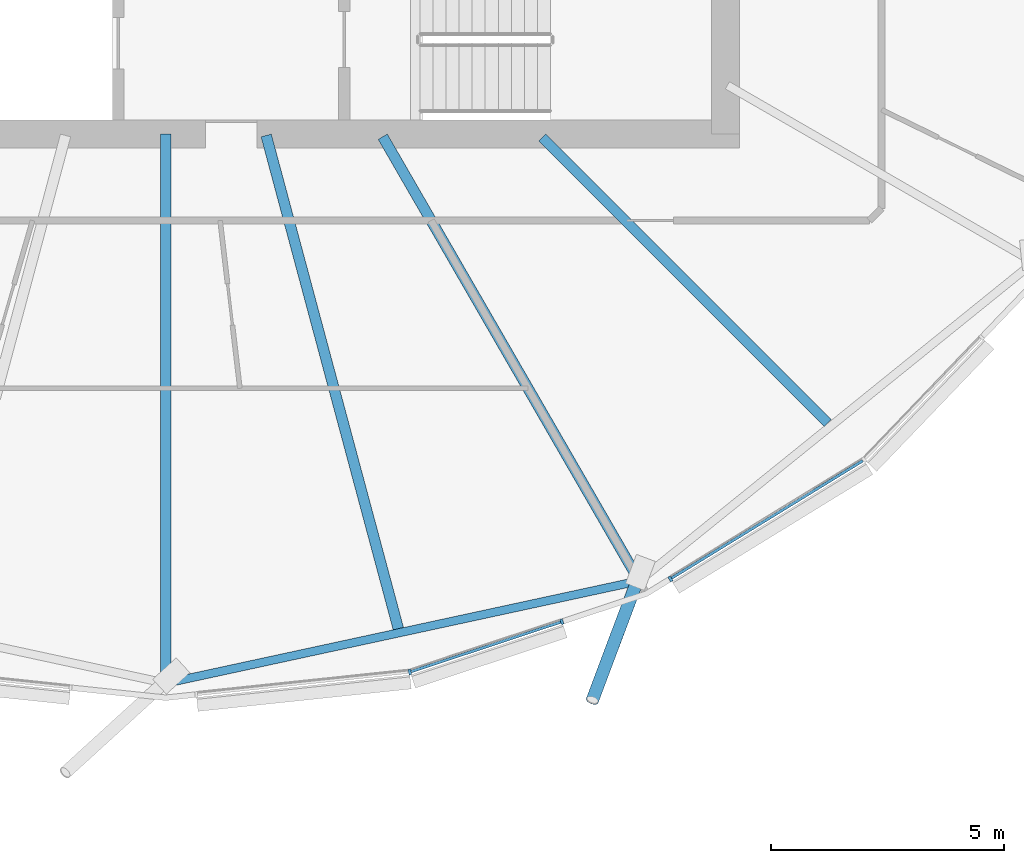
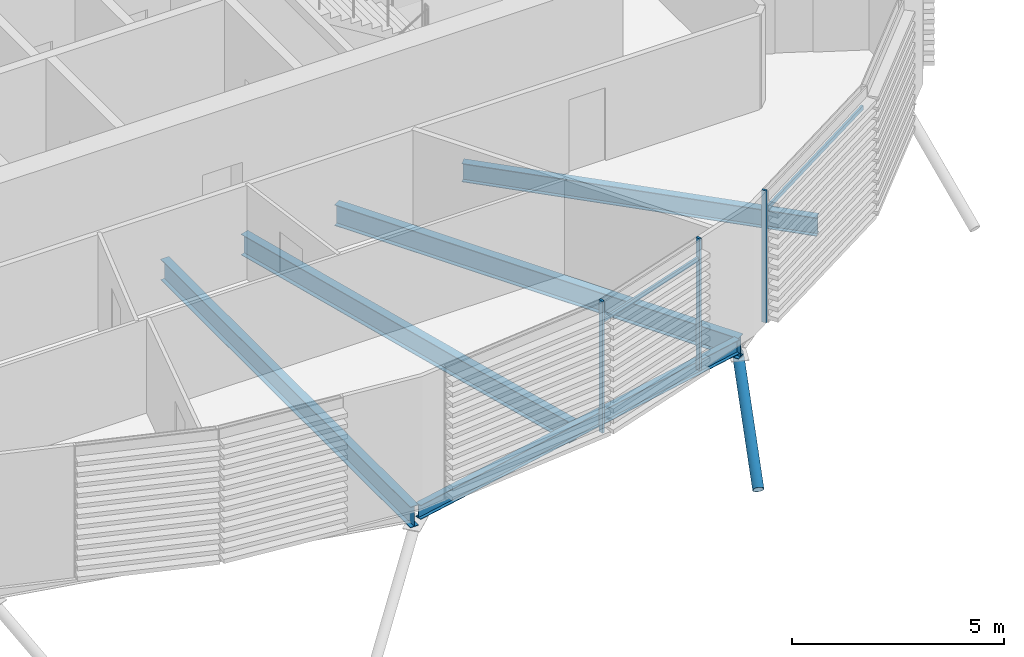
# One storey, part 4 of 37: 6 members, 5 beams, 1 element without a shape of its own.
"""IFC4 building model written with IfcOpenShell, lengths in metres."""

from ifc_helpers import new_model, si_unit, direction, frame, origin, origin_2d, place, context, subcontext, project, spatial, rectangle, hollow_circle, i_section, extrude, clip, halfspace, material, material_profile, profile_set, type_object, element, aggregate, save


model = new_model("IFC4")

# Units and contexts
model_context = context("Model", 3, precision=1e-05, world=origin(), true_north=direction((0.0, 1.0)))
body_context = subcontext(model_context, "Body", "Model", "MODEL_VIEW")
ifc_project = project(units=[si_unit("LENGTHUNIT", "METRE"), si_unit("AREAUNIT", "SQUARE_METRE"), si_unit("VOLUMEUNIT", "CUBIC_METRE"), si_unit("PLANEANGLEUNIT", "RADIAN"), si_unit("MASSUNIT", "GRAM", prefix="KILO")], contexts=[model_context])

# Site, building, storey
site_placement = place(None, origin())
site = spatial("IfcSite", under=ifc_project, at=site_placement, CompositionType="ELEMENT")
building_placement = place(site_placement, origin())
building = spatial("IfcBuilding", under=site, at=building_placement, Name="Rimbun Link Towers", CompositionType="ELEMENT")
storey_placement = place(building_placement, frame((0.0, 0.0, 166.5)))
storey = spatial("IfcBuildingStorey", under=building, at=storey_placement, Name="L40", CompositionType="ELEMENT", Elevation=166.5)

# Curtain wall, members
ifc_material_1 = material(Name="Aluminium 6063-T6 and low-iron glass", Category="aluminium")
curtain_wall_type = type_object("IfcCurtainWallType", Name="CW1-Z3 unitised vision wall (zone 3)", PredefinedType="NOTDEFINED", material=ifc_material_1)
curtain_wall_placement = place(storey_placement, origin())
curtain_wall = element("IfcCurtainWall", 1, at=curtain_wall_placement, inside=storey, type_object=curtain_wall_type, Name="CW1 L40 T1", PredefinedType="NOTDEFINED")
ifc_material_2 = material(Name="Aluminium 6063-T6", Category="aluminium")
ifc_material_profile_1 = material_profile(ifc_material_2, rectangle(XDim=0.1201171875, YDim=0.06005859375, at=origin_2d()), Name="MULLION 60X120")
ifc_profile_set_1 = profile_set([ifc_material_profile_1], Name="Aluminium 6063-T6")
member_type_1 = type_object("IfcMemberType", Name="CW1 mullion 60X120", PredefinedType="MULLION", material=ifc_profile_set_1)
member_1_placement = place(storey_placement, frame((-26.51708984375, -19.541015625, 0.0), z_axis=(0.0, 0.0, 1.0), x_axis=(0.210865888506, -0.977515000941, 0.0)))
member_1 = element("IfcMember", 2, at=member_1_placement, type_object=member_type_1, Name="CW1 mullion", PredefinedType="MULLION", context=body_context, shape_type="SweptSolid", body=[
    extrude(rectangle(XDim=0.1201171875, YDim=0.06005859375, at=origin_2d()), origin(), (0.0, 0.0, 1.0), 3.800048828125),
])
member_2_placement = place(storey_placement, frame((-23.254638671875, -18.460205078125, 0.0), z_axis=(0.0, 0.0, 1.0), x_axis=(0.314555722988, -0.949239009489, 0.0)))
member_2 = element("IfcMember", 3, at=member_2_placement, type_object=member_type_1, Name="CW1 mullion", PredefinedType="MULLION", context=body_context, shape_type="SweptSolid", body=[
    extrude(rectangle(XDim=0.1201171875, YDim=0.06005859375, at=origin_2d()), origin(), (0.0, 0.0, 1.0), 3.800048828125),
])
member_3_placement = place(storey_placement, frame((-20.92724609375, -17.542724609375, 0.0), z_axis=(0.0, 0.0, 1.0), x_axis=(0.523249760653, -0.85217937547, 0.0)))
member_3 = element("IfcMember", 4, at=member_3_placement, type_object=member_type_1, Name="CW1 mullion", PredefinedType="MULLION", context=body_context, shape_type="SweptSolid", body=[
    extrude(rectangle(XDim=0.1201171875, YDim=0.06005859375, at=origin_2d()), origin(), (0.0, 0.0, 1.0), 3.800048828125),
])
ifc_material_3 = material(Name="Aluminium 6063-T6", Category="aluminium")
ifc_material_profile_2 = material_profile(ifc_material_3, rectangle(XDim=0.06005859375, YDim=0.1201171875, at=origin_2d()), Name="TRANSOM 60X120")
ifc_profile_set_2 = profile_set([ifc_material_profile_2], Name="Aluminium 6063-T6")
member_type_2 = type_object("IfcMemberType", Name="CW1 transom 60X120", PredefinedType="USERDEFINED", material=ifc_profile_set_2)
member_4_placement = place(storey_placement, frame((-23.28369140625, -18.4677734375, 3.199951171875), z_axis=(-0.949246811547, -0.314532177636, 0.0), x_axis=(0.314532177636, -0.949246811547, 0.0)))
member_4 = element("IfcMember", 5, at=member_4_placement, type_object=member_type_2, Name="CW1 transom", ObjectType="TRANSOM", PredefinedType="USERDEFINED", context=body_context, shape_type="SweptSolid", body=[
    extrude(rectangle(XDim=0.06005859375, YDim=0.1201171875, at=origin_2d()), origin(), (0.0, 0.0, 1.0), 3.370361328125),
])
member_5_placement = place(storey_placement, frame((-16.802490234375, -15.0078125, 3.199951171875), z_axis=(-0.852173607466, -0.523259154471, 0.0), x_axis=(0.523259154471, -0.852173607466, 0.0)))
member_5 = element("IfcMember", 6, at=member_5_placement, type_object=member_type_2, Name="CW1 transom", ObjectType="TRANSOM", PredefinedType="USERDEFINED", context=body_context, shape_type="SweptSolid", body=[
    extrude(rectangle(XDim=0.06005859375, YDim=0.1201171875, at=origin_2d()), origin(), (0.0, 0.0, 1.0), 4.811279296875),
])
aggregate(curtain_wall, [member_1, member_2, member_3, member_4, member_5])

# Member
ifc_material_4 = material(Name="Steel S355J2H", Category="steel")
ifc_material_profile_3 = material_profile(ifc_material_4, hollow_circle(Radius=0.136474609375, WallThickness=0.012451171875, at=origin_2d()), Name="CHS 273x12.5")
ifc_profile_set_3 = profile_set([ifc_material_profile_3], Name="Steel S355J2H")
member_type_3 = type_object("IfcMemberType", Name="Floor edge link CHS 273x12.5", PredefinedType="BRACE", material=ifc_profile_set_3)
member_6_placement = place(storey_placement, frame((-21.62255859375, -17.541259765625, -0.867431640625), z_axis=(-0.296122982888, -0.787476512316, -0.540547797662), x_axis=(0.93600862714, -0.351977058798, 0.0)))
element("IfcMember", 7, at=member_6_placement, inside=storey, type_object=member_type_3, Name="Floor edge link T1 L40 20", PredefinedType="BRACE", context=body_context, shape_type="Clipping", body=[
    clip(extrude(hollow_circle(Radius=0.136474609375, WallThickness=0.012451171875, at=origin_2d()), frame((0.0, 0.0, -0.443359375)), (0.0, 0.0, 1.0), 3.758544921875), halfspace(frame((0.0, 0.0, -0.208740234375), z_axis=(0.0, 0.841313305757, -0.540547797662)), False)),
])

# Beams
ifc_material_5 = material(Name="Steel S355J2", Category="steel")
ifc_material_profile_4 = material_profile(ifc_material_5, i_section(OverallWidth=0.177978515625, OverallDepth=0.406494140625, WebThickness=0.0078125, FlangeThickness=0.0126953125, at=origin_2d()), Name="UB 406x178x60")
ifc_profile_set_4 = profile_set([ifc_material_profile_4], Name="Steel S355J2")
beam_type_1 = type_object("IfcBeamType", Name="UB 406x178x60", PredefinedType="BEAM", material=ifc_profile_set_4)
beam_1_placement = place(storey_placement, frame((-31.63525390625, -19.755859375, -0.353271484375), z_axis=(0.977395763905, 0.211417881693, 0.0), x_axis=(-0.211417881693, 0.977395763905, 0.0)))
element("IfcBeam", 8, at=beam_1_placement, inside=storey, type_object=beam_type_1, Name="Edge beam T1 L40 18-20", PredefinedType="BEAM", context=body_context, shape_type="SweptSolid", body=[
    extrude(i_section(OverallWidth=0.177978515625, OverallDepth=0.406494140625, WebThickness=0.0078125, FlangeThickness=0.0126953125, at=origin_2d()), origin(), (0.0, 0.0, 1.0), 10.1494140625),
])
ifc_material_6 = material(Name="Steel S355J2", Category="steel")
ifc_material_profile_5 = material_profile(ifc_material_6, i_section(OverallWidth=0.209228515625, OverallDepth=0.533203125, WebThickness=0.010009765625, FlangeThickness=0.015625, at=origin_2d()), Name="UB 533x210x92")
ifc_profile_set_5 = profile_set([ifc_material_profile_5], Name="Steel S355J2")
beam_type_2 = type_object("IfcBeamType", Name="UB 533x210x92", PredefinedType="BEAM", material=ifc_profile_set_5)
beam_2_placement = place(storey_placement, frame((-23.67529296875, -8.07470703125, -0.41650390625), z_axis=(0.707106781187, -0.707106781187, 0.0), x_axis=(0.707106781187, 0.707106781187, 0.0)))
element("IfcBeam", 9, at=beam_2_placement, inside=storey, type_object=beam_type_2, Name="Radial beam T1 L40 21", PredefinedType="BEAM", context=body_context, shape_type="SweptSolid", body=[
    extrude(i_section(OverallWidth=0.209228515625, OverallDepth=0.533203125, WebThickness=0.010009765625, FlangeThickness=0.015625, at=origin_2d()), origin(), (0.0, 0.0, 1.0), 8.662841796875),
])
ifc_material_7 = material(Name="Steel S355J2", Category="steel")
ifc_material_profile_6 = material_profile(ifc_material_7, i_section(OverallWidth=0.2275390625, OverallDepth=0.6025390625, WebThickness=0.010498046875, FlangeThickness=0.014892578125, at=origin_2d()), Name="UB 610x229x101")
ifc_profile_set_6 = profile_set([ifc_material_profile_6], Name="Steel S355J2")
beam_type_3 = type_object("IfcBeamType", Name="UB 610x229x101", PredefinedType="BEAM", material=ifc_profile_set_6)
beam_3_placement = place(storey_placement, frame((-31.75, -8.0009765625, -0.451416015625), z_axis=(0.0, -1.0, 0.0), x_axis=(1.0, 0.0, 0.0)))
element("IfcBeam", 10, at=beam_3_placement, inside=storey, type_object=beam_type_3, Name="Radial beam T1 L40 18", PredefinedType="BEAM", context=body_context, shape_type="SweptSolid", body=[
    extrude(i_section(OverallWidth=0.2275390625, OverallDepth=0.6025390625, WebThickness=0.010498046875, FlangeThickness=0.014892578125, at=origin_2d()), origin(), (0.0, 0.0, 1.0), 11.77978515625),
])
beam_4_placement = place(storey_placement, frame((-29.598388671875, -8.030517578125, -0.451416015625), z_axis=(0.258833388669, -0.965921982828, 0.0), x_axis=(0.965921982828, 0.258833388669, 0.0)))
element("IfcBeam", 11, at=beam_4_placement, inside=storey, type_object=beam_type_3, Name="Radial beam T1 L40 19", PredefinedType="BEAM", context=body_context, shape_type="SweptSolid", body=[
    extrude(i_section(OverallWidth=0.2275390625, OverallDepth=0.6025390625, WebThickness=0.010498046875, FlangeThickness=0.014892578125, at=origin_2d()), origin(), (0.0, 0.0, 1.0), 10.952880859375),
])
beam_5_placement = place(storey_placement, frame((-27.097900390625, -8.057861328125, -0.451416015625), z_axis=(0.500003581172, -0.866023336184, 0.0), x_axis=(0.866023336184, 0.500003581172, 0.0)))
element("IfcBeam", 12, at=beam_5_placement, inside=storey, type_object=beam_type_3, Name="Radial beam T1 L40 20", PredefinedType="BEAM", context=body_context, shape_type="SweptSolid", body=[
    extrude(i_section(OverallWidth=0.2275390625, OverallDepth=0.6025390625, WebThickness=0.010498046875, FlangeThickness=0.014892578125, at=origin_2d()), origin(), (0.0, 0.0, 1.0), 11.00048828125),
])

save(model, "model.ifc")
